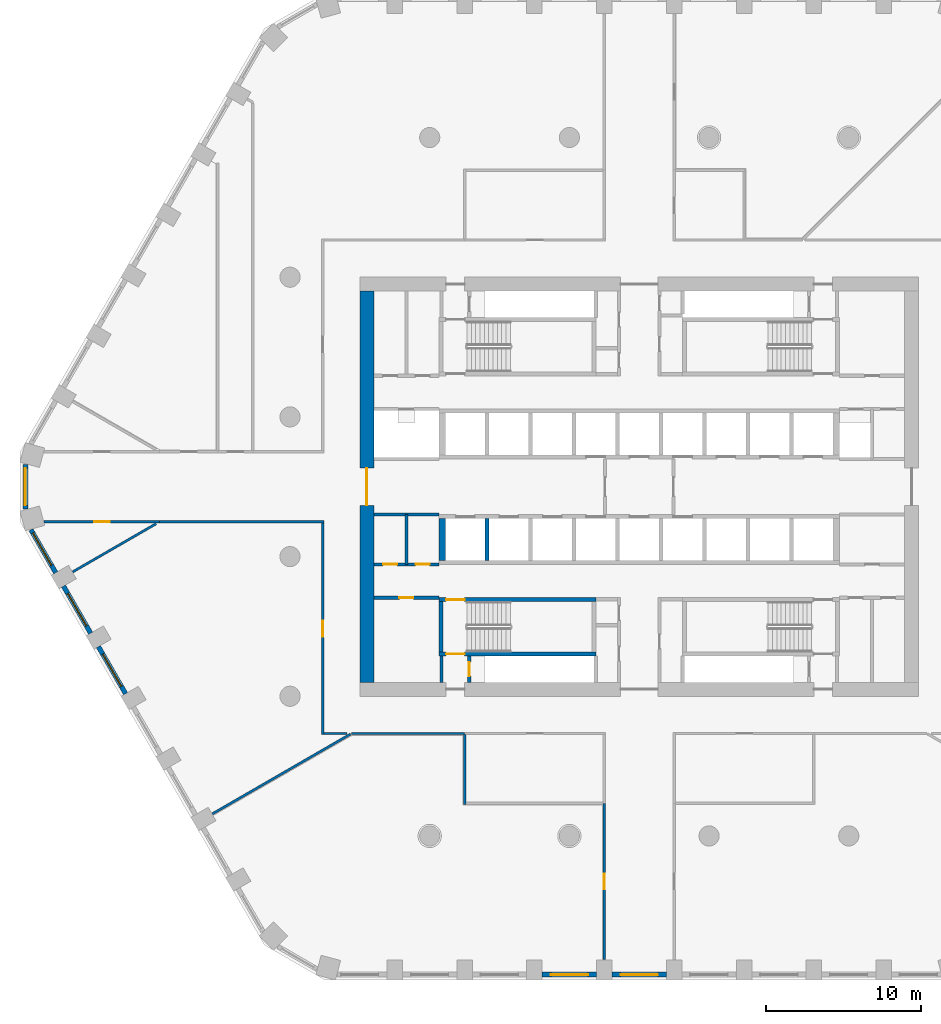
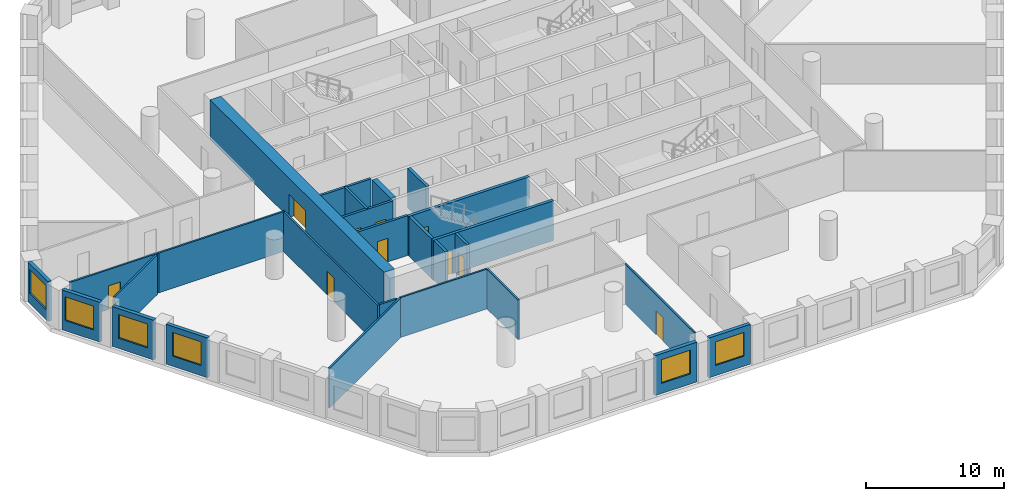
# One storey, part 2 of 14: 27 walls, 10 doors, 6 windows, 16 openings.
"""IFC4 building model written with IfcOpenShell, lengths in metres."""

from ifc_helpers import new_model, si_unit, direction, frame, frame_2d, origin, place, context, subcontext, project, spatial, polyline, rectangle, outline, extrude, material, layer, layer_set, type_object, element, fill, save


model = new_model("IFC4")

# Units and contexts
model_context = context("Model", 3, precision=1e-05, world=origin(), true_north=direction((0.0, 1.0)))
body_context = subcontext(model_context, "Body", "Model", "MODEL_VIEW")
ifc_project = project(units=[si_unit("LENGTHUNIT", "METRE"), si_unit("AREAUNIT", "SQUARE_METRE"), si_unit("VOLUMEUNIT", "CUBIC_METRE"), si_unit("PLANEANGLEUNIT", "RADIAN"), si_unit("MASSUNIT", "GRAM", prefix="KILO")], contexts=[model_context])

# Site, building, storey
site_placement = place(None, origin())
site = spatial("IfcSite", under=ifc_project, at=site_placement, CompositionType="ELEMENT")
building_placement = place(site_placement, origin())
building = spatial("IfcBuilding", under=site, at=building_placement, Name="Dhurran Vertical Campus", CompositionType="ELEMENT")
storey_placement = place(building_placement, frame((0.0, 0.0, 96.89990234375)))
storey = spatial("IfcBuildingStorey", under=building, at=storey_placement, Name="L23", CompositionType="ELEMENT", Elevation=96.89990234375)

# Wall, opening, window
ifc_material_1 = material(Name="Precast concrete C50/60", Category="concrete")
ifc_layer_1 = layer(ifc_material_1, 0.300048828125)
ifc_layer_set_1 = layer_set([ifc_layer_1], Name="Precast concrete C50/60")
wall_type_1 = type_object("IfcWallType", Name="Precast spandrel wall 300", PredefinedType="SOLIDWALL", material=ifc_layer_set_1)
wall_1_placement = place(storey_placement, frame((-6.24951171875, -31.4296875, 0.0), z_axis=(0.0, 0.0, 1.0), x_axis=(1.0, 0.0, 0.0)))
wall_1 = element("IfcWall", 1, at=wall_1_placement, inside=storey, type_object=wall_type_1, Name="EW1 L23.03", PredefinedType="SOLIDWALL", context=body_context, shape_type="SweptSolid", body=[
    extrude(rectangle(XDim=3.4990234375, YDim=0.300048828125, at=frame_2d((1.74951171875, 0.0))), origin(), (0.0, 0.0, 1.0), 3.525146484375),
])
opening_1_placement = place(wall_1_placement, frame((0.549560546875, 0.0, 0.89990234375)))
opening_1 = element("IfcOpeningElement", 2, at=opening_1_placement, cuts=wall_1, Name="Opening WT1", PredefinedType="OPENING", context=body_context, shape_type="SweptSolid", body=[
    extrude(rectangle(XDim=2.39990234375, YDim=2.10009765625, at=frame_2d((1.199951171875, 1.050048828125))), frame((0.0, 0.159912109375, 0.0), z_axis=(0.0, -1.0, 0.0), x_axis=(1.0, 0.0, 0.0)), (0.0, 0.0, 1.0), 0.320068359375),
])
ifc_material_2 = material(Name="Aluminium frame with solar-control glass", Category="aluminium")
window_type = type_object("IfcWindowType", Name="Punched window 2400 x 2100", PartitioningType="SINGLE_PANEL", PredefinedType="WINDOW", material=ifc_material_2)
window_1_placement = place(opening_1_placement, origin())
window_1 = element("IfcWindow", 3, at=window_1_placement, inside=storey, type_object=window_type, Name="WT1 L23.03", OverallHeight=2.10009765625, OverallWidth=2.39990234375, PartitioningType="SINGLE_PANEL", PredefinedType="WINDOW", context=body_context, shape_type="SweptSolid", body=[
    extrude(rectangle(XDim=2.39990234375, YDim=2.10009765625, at=frame_2d((1.199951171875, 1.050048828125))), frame((0.0, 0.030029296875, 0.0), z_axis=(0.0, -1.0, 0.0), x_axis=(1.0, 0.0, 0.0)), (0.0, 0.0, 1.0), 0.06005859375),
])
fill(opening_1, window_1)

wall_2_placement = place(storey_placement, frame((-1.74951171875, -31.4296875, 0.0), z_axis=(0.0, 0.0, 1.0), x_axis=(1.0, 0.0, 0.0)))
wall_2 = element("IfcWall", 4, at=wall_2_placement, inside=storey, type_object=wall_type_1, Name="EW1 L23.04", PredefinedType="SOLIDWALL", context=body_context, shape_type="SweptSolid", body=[
    extrude(rectangle(XDim=3.4990234375, YDim=0.300048828125, at=frame_2d((1.74951171875, 0.0))), origin(), (0.0, 0.0, 1.0), 3.525146484375),
])
opening_2_placement = place(wall_2_placement, frame((0.549560546875, 0.0, 0.89990234375)))
opening_2 = element("IfcOpeningElement", 5, at=opening_2_placement, cuts=wall_2, Name="Opening WT1", PredefinedType="OPENING", context=body_context, shape_type="SweptSolid", body=[
    extrude(rectangle(XDim=2.39990234375, YDim=2.10009765625, at=frame_2d((1.199951171875, 1.050048828125))), frame((0.0, 0.159912109375, 0.0), z_axis=(0.0, -1.0, 0.0), x_axis=(1.0, 0.0, 0.0)), (0.0, 0.0, 1.0), 0.320068359375),
])
window_2_placement = place(opening_2_placement, origin())
window_2 = element("IfcWindow", 6, at=window_2_placement, inside=storey, type_object=window_type, Name="WT1 L23.04", OverallHeight=2.10009765625, OverallWidth=2.39990234375, PartitioningType="SINGLE_PANEL", PredefinedType="WINDOW", context=body_context, shape_type="SweptSolid", body=[
    extrude(rectangle(XDim=2.39990234375, YDim=2.10009765625, at=frame_2d((1.199951171875, 1.050048828125))), frame((0.0, 0.030029296875, 0.0), z_axis=(0.0, -1.0, 0.0), x_axis=(1.0, 0.0, 0.0)), (0.0, 0.0, 1.0), 0.06005859375),
])
fill(opening_2, window_2)

wall_3_placement = place(storey_placement, frame((-39.547119140625, 1.44287109375, 0.0), z_axis=(0.0, 0.0, 1.0), x_axis=(0.0, -1.0, 0.0)))
wall_3 = element("IfcWall", 7, at=wall_3_placement, inside=storey, type_object=wall_type_1, Name="EW1 L23.43", PredefinedType="SOLIDWALL", context=body_context, shape_type="SweptSolid", body=[
    extrude(rectangle(XDim=2.8857421875, YDim=0.300048828125, at=frame_2d((1.44287109375, 0.0))), origin(), (0.0, 0.0, 1.0), 3.525146484375),
])
opening_3_placement = place(wall_3_placement, frame((0.242919921875, 0.0, 0.89990234375)))
opening_3 = element("IfcOpeningElement", 8, at=opening_3_placement, cuts=wall_3, Name="Opening WT1", PredefinedType="OPENING", context=body_context, shape_type="SweptSolid", body=[
    extrude(rectangle(XDim=2.39990234375, YDim=2.10009765625, at=frame_2d((1.199951171875, 1.050048828125))), frame((0.0, 0.159912109375, 0.0), z_axis=(0.0, -1.0, 0.0), x_axis=(1.0, 0.0, 0.0)), (0.0, 0.0, 1.0), 0.320068359375),
])
window_3_placement = place(opening_3_placement, origin())
window_3 = element("IfcWindow", 9, at=window_3_placement, inside=storey, type_object=window_type, Name="WT1 L23.43", OverallHeight=2.10009765625, OverallWidth=2.39990234375, PartitioningType="SINGLE_PANEL", PredefinedType="WINDOW", context=body_context, shape_type="SweptSolid", body=[
    extrude(rectangle(XDim=2.39990234375, YDim=2.10009765625, at=frame_2d((1.199951171875, 1.050048828125))), frame((0.0, 0.030029296875, 0.0), z_axis=(0.0, -1.0, 0.0), x_axis=(1.0, 0.0, 0.0)), (0.0, 0.0, 1.0), 0.06005859375),
])
fill(opening_3, window_3)

wall_4_placement = place(storey_placement, frame((-39.1904296875, -2.774169921875, 0.0), z_axis=(0.0, 0.0, 1.0), x_axis=(0.500004907028, -0.866022570692, 0.0)))
wall_4 = element("IfcWall", 10, at=wall_4_placement, inside=storey, type_object=wall_type_1, Name="EW1 L23.44", PredefinedType="SOLIDWALL", context=body_context, shape_type="SweptSolid", body=[
    extrude(rectangle(XDim=3.1923828125, YDim=0.300048828125, at=frame_2d((1.59619140625, 0.0))), origin(), (0.0, 0.0, 1.0), 3.525146484375),
])
opening_4_placement = place(wall_4_placement, frame((0.242919921875, 0.0, 0.89990234375)))
opening_4 = element("IfcOpeningElement", 11, at=opening_4_placement, cuts=wall_4, Name="Opening WT1", PredefinedType="OPENING", context=body_context, shape_type="SweptSolid", body=[
    extrude(rectangle(XDim=2.39990234375, YDim=2.10009765625, at=frame_2d((1.199951171875, 1.050048828125))), frame((0.0, 0.159912109375, 0.0), z_axis=(0.0, -1.0, 0.0), x_axis=(1.0, 0.0, 0.0)), (0.0, 0.0, 1.0), 0.320068359375),
])
window_4_placement = place(opening_4_placement, origin())
window_4 = element("IfcWindow", 12, at=window_4_placement, inside=storey, type_object=window_type, Name="WT1 L23.44", OverallHeight=2.10009765625, OverallWidth=2.39990234375, PartitioningType="SINGLE_PANEL", PredefinedType="WINDOW", context=body_context, shape_type="SweptSolid", body=[
    extrude(rectangle(XDim=2.39990234375, YDim=2.10009765625, at=frame_2d((1.199951171875, 1.050048828125))), frame((0.0, 0.030029296875, 0.0), z_axis=(0.0, -1.0, 0.0), x_axis=(1.0, 0.0, 0.0)), (0.0, 0.0, 1.0), 0.06005859375),
])
fill(opening_4, window_4)

wall_5_placement = place(storey_placement, frame((-37.09375, -6.405517578125, 0.0), z_axis=(0.0, 0.0, 1.0), x_axis=(0.499996256241, -0.866027565234, 0.0)))
wall_5 = element("IfcWall", 13, at=wall_5_placement, inside=storey, type_object=wall_type_1, Name="EW1 L23.45", PredefinedType="SOLIDWALL", context=body_context, shape_type="SweptSolid", body=[
    extrude(rectangle(XDim=3.4990234375, YDim=0.300048828125, at=frame_2d((1.74951171875, 0.0))), origin(), (0.0, 0.0, 1.0), 3.525146484375),
])
opening_5_placement = place(wall_5_placement, frame((0.549560546875, 0.0, 0.89990234375)))
opening_5 = element("IfcOpeningElement", 14, at=opening_5_placement, cuts=wall_5, Name="Opening WT1", PredefinedType="OPENING", context=body_context, shape_type="SweptSolid", body=[
    extrude(rectangle(XDim=2.39990234375, YDim=2.10009765625, at=frame_2d((1.199951171875, 1.050048828125))), frame((0.0, 0.159912109375, 0.0), z_axis=(0.0, -1.0, 0.0), x_axis=(1.0, 0.0, 0.0)), (0.0, 0.0, 1.0), 0.320068359375),
])
window_5_placement = place(opening_5_placement, origin())
window_5 = element("IfcWindow", 15, at=window_5_placement, inside=storey, type_object=window_type, Name="WT1 L23.45", OverallHeight=2.10009765625, OverallWidth=2.39990234375, PartitioningType="SINGLE_PANEL", PredefinedType="WINDOW", context=body_context, shape_type="SweptSolid", body=[
    extrude(rectangle(XDim=2.39990234375, YDim=2.10009765625, at=frame_2d((1.199951171875, 1.050048828125))), frame((0.0, 0.030029296875, 0.0), z_axis=(0.0, -1.0, 0.0), x_axis=(1.0, 0.0, 0.0)), (0.0, 0.0, 1.0), 0.06005859375),
])
fill(opening_5, window_5)

wall_6_placement = place(storey_placement, frame((-34.84375, -10.302734375, 0.0), z_axis=(0.0, 0.0, 1.0), x_axis=(0.499996256241, -0.866027565234, 0.0)))
wall_6 = element("IfcWall", 16, at=wall_6_placement, inside=storey, type_object=wall_type_1, Name="EW1 L23.46", PredefinedType="SOLIDWALL", context=body_context, shape_type="SweptSolid", body=[
    extrude(rectangle(XDim=3.4990234375, YDim=0.300048828125, at=frame_2d((1.74951171875, 0.0))), origin(), (0.0, 0.0, 1.0), 3.525146484375),
])
opening_6_placement = place(wall_6_placement, frame((0.549560546875, 0.0, 0.89990234375)))
opening_6 = element("IfcOpeningElement", 17, at=opening_6_placement, cuts=wall_6, Name="Opening WT1", PredefinedType="OPENING", context=body_context, shape_type="SweptSolid", body=[
    extrude(rectangle(XDim=2.39990234375, YDim=2.10009765625, at=frame_2d((1.199951171875, 1.050048828125))), frame((0.0, 0.159912109375, 0.0), z_axis=(0.0, -1.0, 0.0), x_axis=(1.0, 0.0, 0.0)), (0.0, 0.0, 1.0), 0.320068359375),
])
window_6_placement = place(opening_6_placement, origin())
window_6 = element("IfcWindow", 18, at=window_6_placement, inside=storey, type_object=window_type, Name="WT1 L23.46", OverallHeight=2.10009765625, OverallWidth=2.39990234375, PartitioningType="SINGLE_PANEL", PredefinedType="WINDOW", context=body_context, shape_type="SweptSolid", body=[
    extrude(rectangle(XDim=2.39990234375, YDim=2.10009765625, at=frame_2d((1.199951171875, 1.050048828125))), frame((0.0, 0.030029296875, 0.0), z_axis=(0.0, -1.0, 0.0), x_axis=(1.0, 0.0, 0.0)), (0.0, 0.0, 1.0), 0.06005859375),
])
fill(opening_6, window_6)

# Wall, opening, door
ifc_material_3 = material(Name="Concrete C60/75", Category="concrete")
ifc_layer_2 = layer(ifc_material_3, 0.89990234375)
ifc_layer_set_2 = layer_set([ifc_layer_2], Name="Concrete C60/75")
wall_type_2 = type_object("IfcWallType", Name="co-CORE-WALL-C0-900", PredefinedType="SHEAR", material=ifc_layer_set_2)
wall_7_placement = place(storey_placement, frame((-17.550048828125, -12.60009765625, 0.0), z_axis=(0.0, 0.0, 1.0), x_axis=(0.0, 1.0, 0.0)))
wall_7 = element("IfcWall", 19, at=wall_7_placement, inside=storey, type_object=wall_type_2, Name="Core wall W L23", PredefinedType="SHEAR", context=body_context, shape_type="SweptSolid", body=[
    extrude(rectangle(XDim=25.2001953125, YDim=0.89990234375, at=frame_2d((12.60009765625, 0.0))), origin(), (0.0, 0.0, 1.0), 3.525146484375),
])
opening_7_placement = place(wall_7_placement, frame((11.39990234375, 0.0, 0.0)))
opening_7 = element("IfcOpeningElement", 20, at=opening_7_placement, cuts=wall_7, Name="Opening CL1", PredefinedType="OPENING", context=body_context, shape_type="SweptSolid", body=[
    extrude(rectangle(XDim=2.39990234375, YDim=2.10009765625, at=frame_2d((1.199951171875, 1.050048828125))), frame((0.0, 0.4599609375, 0.0), z_axis=(0.0, -1.0, 0.0), x_axis=(1.0, 0.0, 0.0)), (0.0, 0.0, 1.0), 0.919921875),
])
ifc_material_4 = material(Name="Fire-rated glazed door set")
door_type_1 = type_object("IfcDoorType", Name="co-D-LOBBY 2400x2100", OperationType="DOUBLE_DOOR_DOUBLE_SWING", PredefinedType="DOOR", material=ifc_material_4)
door_1_placement = place(opening_7_placement, origin())
door_1 = element("IfcDoor", 21, at=door_1_placement, inside=storey, type_object=door_type_1, Name="Lift lobby door W L23", OperationType="DOUBLE_DOOR_DOUBLE_SWING", OverallHeight=2.10009765625, OverallWidth=2.39990234375, PredefinedType="DOOR", context=body_context, shape_type="SweptSolid", body=[
    extrude(rectangle(XDim=2.39990234375, YDim=2.10009765625, at=frame_2d((1.199951171875, 1.050048828125))), frame((0.0, 0.02490234375, 0.0), z_axis=(0.0, -1.0, 0.0), x_axis=(1.0, 0.0, 0.0)), (0.0, 0.0, 1.0), 0.050048828125),
])
fill(opening_7, door_1)

# Wall
ifc_material_5 = material(Name="Fire-rated masonry blockwork", Category="masonry")
ifc_layer_3 = layer(ifc_material_5, 0.199951171875)
ifc_layer_set_3 = layer_set([ifc_layer_3], Name="Fire-rated masonry blockwork")
wall_type_3 = type_object("IfcWallType", Name="co-FIRE-PARTITION-200", PredefinedType="PARTITIONING", material=ifc_layer_set_3)
wall_8_placement = place(storey_placement, frame((-12.75, -12.60009765625, 0.0), z_axis=(0.0, 0.0, 1.0), x_axis=(0.0, 1.0, 0.0)))
element("IfcWall", 22, at=wall_8_placement, inside=storey, type_object=wall_type_3, Name="Core partition pass-ST3-o L23", PredefinedType="PARTITIONING", context=body_context, shape_type="SweptSolid", body=[
    extrude(rectangle(XDim=1.7001953125, YDim=0.199951171875, at=frame_2d((0.85009765625, 0.0))), origin(), (0.0, 0.0, 1.0), 3.525146484375),
])

# Wall, opening, door
wall_9_placement = place(storey_placement, frame((-10.949951171875, -12.60009765625, 0.0), z_axis=(0.0, 0.0, 1.0), x_axis=(0.0, 1.0, 0.0)))
wall_9 = element("IfcWall", 23, at=wall_9_placement, inside=storey, type_object=wall_type_3, Name="Core partition pass-ST3-i L23", PredefinedType="PARTITIONING", context=body_context, shape_type="SweptSolid", body=[
    extrude(rectangle(XDim=1.7001953125, YDim=0.199951171875, at=frame_2d((0.85009765625, 0.0))), origin(), (0.0, 0.0, 1.0), 3.525146484375),
])
opening_8_placement = place(wall_9_placement, frame((0.39990234375, 0.0, 0.0)))
opening_8 = element("IfcOpeningElement", 24, at=opening_8_placement, cuts=wall_9, Name="Opening T06-C10", PredefinedType="OPENING", context=body_context, shape_type="SweptSolid", body=[
    extrude(rectangle(XDim=0.89990234375, YDim=2.10009765625, at=frame_2d((0.449951171875, 1.050048828125))), frame((0.0, 0.10986328125, 0.0), z_axis=(0.0, -1.0, 0.0), x_axis=(1.0, 0.0, 0.0)), (0.0, 0.0, 1.0), 0.219970703125),
])
ifc_material_6 = material(Name="Fire-rated timber door set", Category="wood")
door_type_2 = type_object("IfcDoorType", Name="co-D-ROOM 900x2100", OperationType="SINGLE_SWING_LEFT", PredefinedType="DOOR", material=ifc_material_6)
door_2_placement = place(opening_8_placement, origin())
door_2 = element("IfcDoor", 25, at=door_2_placement, inside=storey, type_object=door_type_2, Name="Riser room door L23", OperationType="SINGLE_SWING_LEFT", OverallHeight=2.10009765625, OverallWidth=0.89990234375, PredefinedType="DOOR", context=body_context, shape_type="SweptSolid", body=[
    extrude(rectangle(XDim=0.89990234375, YDim=2.10009765625, at=frame_2d((0.449951171875, 1.050048828125))), frame((0.0, 0.02490234375, 0.0), z_axis=(0.0, -1.0, 0.0), x_axis=(1.0, 0.0, 0.0)), (0.0, 0.0, 1.0), 0.050048828125),
])
fill(opening_8, door_2)

wall_10_placement = place(storey_placement, frame((-17.10009765625, -7.14990234375, 0.0), z_axis=(0.0, 0.0, 1.0), x_axis=(1.0, 0.0, 0.0)))
wall_10 = element("IfcWall", 26, at=wall_10_placement, inside=storey, type_object=wall_type_3, Name="Core partition en-SW-w L23", PredefinedType="PARTITIONING", context=body_context, shape_type="SweptSolid", body=[
    extrude(rectangle(XDim=4.2001953125, YDim=0.199951171875, at=frame_2d((2.10009765625, 0.0))), origin(), (0.0, 0.0, 1.0), 3.525146484375),
])
opening_9_placement = place(wall_10_placement, frame((1.64990234375, 0.0, 0.0)))
opening_9 = element("IfcOpeningElement", 27, at=opening_9_placement, cuts=wall_10, Name="Opening T06-C18", PredefinedType="OPENING", context=body_context, shape_type="SweptSolid", body=[
    extrude(rectangle(XDim=0.89990234375, YDim=2.10009765625, at=frame_2d((0.449951171875, 1.050048828125))), frame((0.0, 0.10986328125, 0.0), z_axis=(0.0, -1.0, 0.0), x_axis=(1.0, 0.0, 0.0)), (0.0, 0.0, 1.0), 0.219970703125),
])
door_3_placement = place(opening_9_placement, origin())
door_3 = element("IfcDoor", 28, at=door_3_placement, inside=storey, type_object=door_type_2, Name="Server room door L23", OperationType="SINGLE_SWING_LEFT", OverallHeight=2.10009765625, OverallWidth=0.89990234375, PredefinedType="DOOR", context=body_context, shape_type="SweptSolid", body=[
    extrude(rectangle(XDim=0.89990234375, YDim=2.10009765625, at=frame_2d((0.449951171875, 1.050048828125))), frame((0.0, 0.02490234375, 0.0), z_axis=(0.0, -1.0, 0.0), x_axis=(1.0, 0.0, 0.0)), (0.0, 0.0, 1.0), 0.050048828125),
])
fill(opening_9, door_3)

# Wall
wall_11_placement = place(storey_placement, frame((-15.0, -5.0, 0.0), z_axis=(0.0, 0.0, 1.0), x_axis=(0.0, 1.0, 0.0)))
element("IfcWall", 29, at=wall_11_placement, inside=storey, type_object=wall_type_3, Name="Core partition es-SW-cut0 L23", PredefinedType="PARTITIONING", context=body_context, shape_type="SweptSolid", body=[
    extrude(rectangle(XDim=3.199951171875, YDim=0.199951171875, at=frame_2d((1.60009765625, 0.0))), origin(), (0.0, 0.0, 1.0), 3.525146484375),
])

# Wall, openings, doors
wall_12_placement = place(storey_placement, frame((-17.10009765625, -5.0, 0.0), z_axis=(0.0, 0.0, 1.0), x_axis=(1.0, 0.0, 0.0)))
wall_12 = element("IfcWall", 30, at=wall_12_placement, inside=storey, type_object=wall_type_3, Name="Core partition es-SW-w L23", PredefinedType="PARTITIONING", context=body_context, shape_type="SweptSolid", body=[
    extrude(rectangle(XDim=4.2001953125, YDim=0.199951171875, at=frame_2d((2.10009765625, 0.0))), origin(), (0.0, 0.0, 1.0), 3.525146484375),
])
opening_10_placement = place(wall_12_placement, frame((0.60009765625, 0.0, 0.0)))
opening_10 = element("IfcOpeningElement", 31, at=opening_10_placement, cuts=wall_12, Name="Opening T06-C19", PredefinedType="OPENING", context=body_context, shape_type="SweptSolid", body=[
    extrude(rectangle(XDim=0.89990234375, YDim=2.10009765625, at=frame_2d((0.449951171875, 1.050048828125))), frame((0.0, 0.10986328125, 0.0), z_axis=(0.0, -1.0, 0.0), x_axis=(1.0, 0.0, 0.0)), (0.0, 0.0, 1.0), 0.219970703125),
])
opening_11_placement = place(wall_12_placement, frame((2.699951171875, 0.0, 0.0)))
opening_11 = element("IfcOpeningElement", 32, at=opening_11_placement, cuts=wall_12, Name="Opening T06-C20", PredefinedType="OPENING", context=body_context, shape_type="SweptSolid", body=[
    extrude(rectangle(XDim=0.89990234375, YDim=2.10009765625, at=frame_2d((0.449951171875, 1.050048828125))), frame((0.0, 0.10986328125, 0.0), z_axis=(0.0, -1.0, 0.0), x_axis=(1.0, 0.0, 0.0)), (0.0, 0.0, 1.0), 0.219970703125),
])
door_4_placement = place(opening_10_placement, origin())
door_4 = element("IfcDoor", 33, at=door_4_placement, inside=storey, type_object=door_type_2, Name="Pantry door L23", OperationType="SINGLE_SWING_LEFT", OverallHeight=2.10009765625, OverallWidth=0.89990234375, PredefinedType="DOOR", context=body_context, shape_type="SweptSolid", body=[
    extrude(rectangle(XDim=0.89990234375, YDim=2.10009765625, at=frame_2d((0.449951171875, 1.050048828125))), frame((0.0, 0.02490234375, 0.0), z_axis=(0.0, -1.0, 0.0), x_axis=(1.0, 0.0, 0.0)), (0.0, 0.0, 1.0), 0.050048828125),
])
fill(opening_10, door_4)
door_5_placement = place(opening_11_placement, origin())
door_5 = element("IfcDoor", 34, at=door_5_placement, inside=storey, type_object=door_type_2, Name="Housekeeping store door L23", OperationType="SINGLE_SWING_LEFT", OverallHeight=2.10009765625, OverallWidth=0.89990234375, PredefinedType="DOOR", context=body_context, shape_type="SweptSolid", body=[
    extrude(rectangle(XDim=0.89990234375, YDim=2.10009765625, at=frame_2d((0.449951171875, 1.050048828125))), frame((0.0, 0.02490234375, 0.0), z_axis=(0.0, -1.0, 0.0), x_axis=(1.0, 0.0, 0.0)), (0.0, 0.0, 1.0), 0.050048828125),
])
fill(opening_11, door_5)

# Walls
wall_13_placement = place(storey_placement, frame((-17.10009765625, -1.800048828125, 0.0), z_axis=(0.0, 0.0, 1.0), x_axis=(1.0, 0.0, 0.0)))
element("IfcWall", 35, at=wall_13_placement, inside=storey, type_object=wall_type_3, Name="Core partition es-SW-l L23", PredefinedType="PARTITIONING", context=body_context, shape_type="SweptSolid", body=[
    extrude(rectangle(XDim=4.2001953125, YDim=0.199951171875, at=frame_2d((2.10009765625, 0.0))), origin(), (0.0, 0.0, 1.0), 3.525146484375),
])
ifc_material_7 = material(Name="Concrete C50/60", Category="concrete")
ifc_layer_4 = layer(ifc_material_7, 0.25)
ifc_layer_set_4 = layer_set([ifc_layer_4], Name="Concrete C50/60")
wall_type_4 = type_object("IfcWallType", Name="co-SHAFT-MASS-250", PredefinedType="SHEAR", material=ifc_layer_set_4)
wall_14_placement = place(storey_placement, origin())
element("IfcWall", 36, at=wall_14_placement, inside=storey, type_object=wall_type_4, Name="Lift shaft wall S L23 2", PredefinedType="SHEAR", context=body_context, shape_type="SweptSolid", body=[
    extrude(outline(polyline([(-12.89990234375, -4.75), (-12.47509765625, -4.75), (-12.47509765625, -2.050048828125), (-12.89990234375, -2.050048828125), (-12.89990234375, -4.75)])), origin(), (0.0, 0.0, 1.0), 3.525146484375),
])
wall_15_placement = place(storey_placement, origin())
element("IfcWall", 37, at=wall_15_placement, inside=storey, type_object=wall_type_4, Name="Lift shaft wall S L23 3", PredefinedType="SHEAR", context=body_context, shape_type="SweptSolid", body=[
    extrude(outline(polyline([(-9.925048828125, -4.75), (-9.675048828125, -4.75), (-9.675048828125, -2.050048828125), (-9.925048828125, -2.050048828125), (-9.925048828125, -4.75)])), origin(), (0.0, 0.0, 1.0), 3.525146484375),
])

# Wall, opening, door
ifc_material_8 = material(Name="Concrete C40/50", Category="concrete")
ifc_layer_5 = layer(ifc_material_8, 0.25)
ifc_layer_set_5 = layer_set([ifc_layer_5], Name="Concrete C40/50")
wall_type_5 = type_object("IfcWallType", Name="co-STAIR-WALL-250", PredefinedType="SHEAR", material=ifc_layer_set_5)
wall_16_placement = place(storey_placement, frame((-12.89990234375, -10.77490234375, 0.0), z_axis=(0.0, 0.0, 1.0), x_axis=(1.0, 0.0, 0.0)))
wall_16 = element("IfcWall", 38, at=wall_16_placement, inside=storey, type_object=wall_type_5, Name="Stair ST3 enclosure wall L23", PredefinedType="SHEAR", context=body_context, shape_type="SweptSolid", body=[
    extrude(rectangle(XDim=10.099853515625, YDim=0.25, at=frame_2d((5.0498046875, 0.0))), origin(), (0.0, 0.0, 1.0), 3.525146484375),
])
opening_12_placement = place(wall_16_placement, frame((0.449951171875, 0.0, 0.0)))
opening_12 = element("IfcOpeningElement", 39, at=opening_12_placement, cuts=wall_16, Name="Opening XS3", PredefinedType="OPENING", context=body_context, shape_type="SweptSolid", body=[
    extrude(rectangle(XDim=1.199951171875, YDim=2.10009765625, at=frame_2d((0.60009765625, 1.050048828125))), frame((0.0, 0.135009765625, 0.0), z_axis=(0.0, -1.0, 0.0), x_axis=(1.0, 0.0, 0.0)), (0.0, 0.0, 1.0), 0.27001953125),
])
ifc_material_9 = material(Name="Fire-rated steel door set", Category="steel")
door_type_3 = type_object("IfcDoorType", Name="co-D-STAIR-EXIT 1200x2100", OperationType="SINGLE_SWING_RIGHT", PredefinedType="DOOR", material=ifc_material_9)
door_6_placement = place(opening_12_placement, origin())
door_6 = element("IfcDoor", 40, at=door_6_placement, inside=storey, type_object=door_type_3, Name="Stair ST3 discharge door L23", OperationType="SINGLE_SWING_RIGHT", OverallHeight=2.10009765625, OverallWidth=1.199951171875, PredefinedType="DOOR", context=body_context, shape_type="SweptSolid", body=[
    extrude(rectangle(XDim=1.199951171875, YDim=2.10009765625, at=frame_2d((0.60009765625, 1.050048828125))), frame((0.0, 0.02490234375, 0.0), z_axis=(0.0, -1.0, 0.0), x_axis=(1.0, 0.0, 0.0)), (0.0, 0.0, 1.0), 0.050048828125),
])
fill(opening_12, door_6)

wall_17_placement = place(storey_placement, frame((-12.89990234375, -7.27490234375, 0.0), z_axis=(0.0, 0.0, 1.0), x_axis=(1.0, 0.0, 0.0)))
wall_17 = element("IfcWall", 41, at=wall_17_placement, inside=storey, type_object=wall_type_5, Name="Stair ST3 enclosure wall L23", PredefinedType="SHEAR", context=body_context, shape_type="SweptSolid", body=[
    extrude(rectangle(XDim=10.099853515625, YDim=0.25, at=frame_2d((5.0498046875, 0.0))), origin(), (0.0, 0.0, 1.0), 3.525146484375),
])
opening_13_placement = place(wall_17_placement, frame((0.449951171875, 0.0, 0.0)))
opening_13 = element("IfcOpeningElement", 42, at=opening_13_placement, cuts=wall_17, Name="Opening SD3", PredefinedType="OPENING", context=body_context, shape_type="SweptSolid", body=[
    extrude(rectangle(XDim=1.199951171875, YDim=2.10009765625, at=frame_2d((0.60009765625, 1.050048828125))), frame((0.0, 0.135009765625, 0.0), z_axis=(0.0, -1.0, 0.0), x_axis=(1.0, 0.0, 0.0)), (0.0, 0.0, 1.0), 0.27001953125),
])
ifc_material_10 = material(Name="Fire-rated steel door set", Category="steel")
door_type_4 = type_object("IfcDoorType", Name="co-D-STAIR 1200x2100", OperationType="SINGLE_SWING_LEFT", PredefinedType="DOOR", material=ifc_material_10)
door_7_placement = place(opening_13_placement, origin())
door_7 = element("IfcDoor", 43, at=door_7_placement, inside=storey, type_object=door_type_4, Name="Stair ST3 door L23", OperationType="SINGLE_SWING_LEFT", OverallHeight=2.10009765625, OverallWidth=1.199951171875, PredefinedType="DOOR", context=body_context, shape_type="SweptSolid", body=[
    extrude(rectangle(XDim=1.199951171875, YDim=2.10009765625, at=frame_2d((0.60009765625, 1.050048828125))), frame((0.0, 0.02490234375, 0.0), z_axis=(0.0, -1.0, 0.0), x_axis=(1.0, 0.0, 0.0)), (0.0, 0.0, 1.0), 0.050048828125),
])
fill(opening_13, door_7)

# Wall
wall_18_placement = place(storey_placement, frame((-12.77490234375, -10.64990234375, 0.0), z_axis=(0.0, 0.0, 1.0), x_axis=(0.0, 1.0, 0.0)))
element("IfcWall", 44, at=wall_18_placement, inside=storey, type_object=wall_type_5, Name="Stair ST3 enclosure wall L23", PredefinedType="SHEAR", context=body_context, shape_type="SweptSolid", body=[
    extrude(rectangle(XDim=3.25, YDim=0.25, at=frame_2d((1.625, 0.0))), origin(), (0.0, 0.0, 1.0), 3.525146484375),
])

# Wall, opening, door
ifc_material_11 = material(Name="Gypsum board corridor wall on steel studs", Category="steel")
ifc_layer_6 = layer(ifc_material_11, 0.14990234375)
ifc_layer_set_6 = layer_set([ifc_layer_6], Name="Gypsum board corridor wall on steel studs")
wall_type_6 = type_object("IfcWallType", Name="fl-CW-150 corridor wall", PredefinedType="PARTITIONING", material=ifc_layer_set_6)
wall_19_placement = place(storey_placement, frame((-30.89697265625, -2.25, 0.0), z_axis=(0.0, 0.0, 1.0), x_axis=(-1.0, 0.0, 0.0)))
wall_19 = element("IfcWall", 45, at=wall_19_placement, inside=storey, type_object=wall_type_6, Name="Partition 23-01", PredefinedType="PARTITIONING", context=body_context, shape_type="SweptSolid", body=[
    extrude(rectangle(XDim=7.453125, YDim=0.14990234375, at=frame_2d((3.7265625, 0.0))), origin(), (0.0, 0.0, 1.0), 3.525146484375),
])
opening_14_placement = place(wall_19_placement, frame((3.2265625, 0.0, 0.0)))
opening_14 = element("IfcOpeningElement", 46, at=opening_14_placement, cuts=wall_19, Name="Opening T06.01", PredefinedType="OPENING", context=body_context, shape_type="SweptSolid", body=[
    extrude(rectangle(XDim=1.0, YDim=2.10009765625, at=frame_2d((0.5, 1.050048828125))), frame((0.0, 0.0849609375, 0.0), z_axis=(0.0, -1.0, 0.0), x_axis=(1.0, 0.0, 0.0)), (0.0, 0.0, 1.0), 0.169921875),
])
ifc_material_12 = material(Name="Solid-core timber door set, fire-rated", Category="wood")
door_type_5 = type_object("IfcDoorType", Name="fl-D-1000x2100", OperationType="SINGLE_SWING_LEFT", PredefinedType="DOOR", material=ifc_material_12)
door_8_placement = place(opening_14_placement, origin())
door_8 = element("IfcDoor", 47, at=door_8_placement, inside=storey, type_object=door_type_5, Name="Door 23.01", OperationType="SINGLE_SWING_RIGHT", OverallHeight=2.10009765625, OverallWidth=1.0, PredefinedType="DOOR", context=body_context, shape_type="SweptSolid", body=[
    extrude(rectangle(XDim=1.0, YDim=2.10009765625, at=frame_2d((0.5, 1.050048828125))), frame((0.0, 0.02490234375, 0.0), z_axis=(0.0, -1.0, 0.0), x_axis=(1.0, 0.0, 0.0)), (0.0, 0.0, 1.0), 0.050048828125),
])
fill(opening_14, door_8)

# Wall
wall_20_placement = place(storey_placement, frame((-20.324951171875, -2.25, 0.0), z_axis=(0.0, 0.0, 1.0), x_axis=(-1.0, 0.0, 0.0)))
element("IfcWall", 48, at=wall_20_placement, inside=storey, type_object=wall_type_6, Name="Partition 23-05", PredefinedType="PARTITIONING", context=body_context, shape_type="SweptSolid", body=[
    extrude(rectangle(XDim=10.572021484375, YDim=0.14990234375, at=frame_2d((5.2861328125, 0.0))), origin(), (0.0, 0.0, 1.0), 3.525146484375),
])

# Wall, opening, door
wall_21_placement = place(storey_placement, frame((-20.39990234375, -2.324951171875, 0.0), z_axis=(0.0, 0.0, 1.0), x_axis=(0.0, -1.0, 0.0)))
wall_21 = element("IfcWall", 49, at=wall_21_placement, inside=storey, type_object=wall_type_6, Name="Partition 23-13", PredefinedType="PARTITIONING", context=body_context, shape_type="SweptSolid", body=[
    extrude(rectangle(XDim=13.650146484375, YDim=0.14990234375, at=frame_2d((6.8251953125, 0.0))), origin(), (0.0, 0.0, 1.0), 3.525146484375),
])
opening_15_placement = place(wall_21_placement, frame((6.324951171875, 0.0, 0.0)))
opening_15 = element("IfcOpeningElement", 50, at=opening_15_placement, cuts=wall_21, Name="Opening T06.04", PredefinedType="OPENING", context=body_context, shape_type="SweptSolid", body=[
    extrude(rectangle(XDim=1.0, YDim=2.10009765625, at=frame_2d((0.5, 1.050048828125))), frame((0.0, 0.0849609375, 0.0), z_axis=(0.0, -1.0, 0.0), x_axis=(1.0, 0.0, 0.0)), (0.0, 0.0, 1.0), 0.169921875),
])
door_9_placement = place(opening_15_placement, origin())
door_9 = element("IfcDoor", 51, at=door_9_placement, inside=storey, type_object=door_type_5, Name="Door 23.04", OperationType="SINGLE_SWING_RIGHT", OverallHeight=2.10009765625, OverallWidth=1.0, PredefinedType="DOOR", context=body_context, shape_type="SweptSolid", body=[
    extrude(rectangle(XDim=1.0, YDim=2.10009765625, at=frame_2d((0.5, 1.050048828125))), frame((0.0, 0.02490234375, 0.0), z_axis=(0.0, -1.0, 0.0), x_axis=(1.0, 0.0, 0.0)), (0.0, 0.0, 1.0), 0.050048828125),
])
fill(opening_15, door_9)

# Walls
wall_22_placement = place(storey_placement, frame((-20.324951171875, -15.89990234375, 0.0), z_axis=(0.0, 0.0, 1.0), x_axis=(1.0, 0.0, 0.0)))
element("IfcWall", 52, at=wall_22_placement, inside=storey, type_object=wall_type_6, Name="Partition 23-14", PredefinedType="PARTITIONING", context=body_context, shape_type="SweptSolid", body=[
    extrude(rectangle(XDim=1.510009765625, YDim=0.14990234375, at=frame_2d((0.7548828125, 0.0))), origin(), (0.0, 0.0, 1.0), 3.525146484375),
])
wall_23_placement = place(storey_placement, frame((-18.5400390625, -15.89990234375, 0.0), z_axis=(0.0, 0.0, 1.0), x_axis=(1.0, 0.0, 0.0)))
element("IfcWall", 53, at=wall_23_placement, inside=storey, type_object=wall_type_6, Name="Partition 23-17", PredefinedType="PARTITIONING", context=body_context, shape_type="SweptSolid", body=[
    extrude(rectangle(XDim=7.2900390625, YDim=0.14990234375, at=frame_2d((3.64501953125, 0.0))), origin(), (0.0, 0.0, 1.0), 3.525146484375),
])

# Wall, opening, door
wall_24_placement = place(storey_placement, frame((-2.25, -30.459716796875, 0.0), z_axis=(0.0, 0.0, 1.0), x_axis=(0.0, 1.0, 0.0)))
wall_24 = element("IfcWall", 54, at=wall_24_placement, inside=storey, type_object=wall_type_6, Name="Partition 23-24", PredefinedType="PARTITIONING", context=body_context, shape_type="SweptSolid", body=[
    extrude(rectangle(XDim=10.059814453125, YDim=0.14990234375, at=frame_2d((5.02978515625, 0.0))), origin(), (0.0, 0.0, 1.0), 3.525146484375),
])
opening_16_placement = place(wall_24_placement, frame((4.52978515625, 0.0, 0.0)))
opening_16 = element("IfcOpeningElement", 55, at=opening_16_placement, cuts=wall_24, Name="Opening T06.07", PredefinedType="OPENING", context=body_context, shape_type="SweptSolid", body=[
    extrude(rectangle(XDim=1.0, YDim=2.10009765625, at=frame_2d((0.5, 1.050048828125))), frame((0.0, 0.0849609375, 0.0), z_axis=(0.0, -1.0, 0.0), x_axis=(1.0, 0.0, 0.0)), (0.0, 0.0, 1.0), 0.169921875),
])
door_10_placement = place(opening_16_placement, origin())
door_10 = element("IfcDoor", 56, at=door_10_placement, inside=storey, type_object=door_type_5, Name="Door 23.07", OperationType="SINGLE_SWING_LEFT", OverallHeight=2.10009765625, OverallWidth=1.0, PredefinedType="DOOR", context=body_context, shape_type="SweptSolid", body=[
    extrude(rectangle(XDim=1.0, YDim=2.10009765625, at=frame_2d((0.5, 1.050048828125))), frame((0.0, 0.02490234375, 0.0), z_axis=(0.0, -1.0, 0.0), x_axis=(1.0, 0.0, 0.0)), (0.0, 0.0, 1.0), 0.050048828125),
])
fill(opening_16, door_10)

# Walls
ifc_material_13 = material(Name="Gypsum board partition on steel studs", Category="steel")
ifc_layer_7 = layer(ifc_material_13, 0.14990234375)
ifc_layer_set_7 = layer_set([ifc_layer_7], Name="Gypsum board partition on steel studs")
wall_type_7 = type_object("IfcWallType", Name="fl-PW-150 fixed partition", PredefinedType="PARTITIONING", material=ifc_layer_set_7)
wall_25_placement = place(storey_placement, frame((-31.13525390625, -2.387451171875, 0.0), z_axis=(0.0, 0.0, 1.0), x_axis=(-0.866007197923, -0.500031532152, 0.0)))
element("IfcWall", 57, at=wall_25_placement, inside=storey, type_object=wall_type_7, Name="Partition 23-03", PredefinedType="PARTITIONING", context=body_context, shape_type="SweptSolid", body=[
    extrude(rectangle(XDim=6.19921875, YDim=0.14990234375, at=frame_2d((3.099609375, 0.0))), origin(), (0.0, 0.0, 1.0), 3.525146484375),
])
wall_26_placement = place(storey_placement, frame((-18.60498046875, -15.9375, 0.0), z_axis=(0.0, 0.0, 1.0), x_axis=(-0.8659928916, -0.500056308527, 0.0)))
element("IfcWall", 58, at=wall_26_placement, inside=storey, type_object=wall_type_7, Name="Partition 23-07", PredefinedType="PARTITIONING", context=body_context, shape_type="SweptSolid", body=[
    extrude(rectangle(XDim=10.275634765625, YDim=0.14990234375, at=frame_2d((5.1376953125, 0.0))), origin(), (0.0, 0.0, 1.0), 3.525146484375),
])
wall_27_placement = place(storey_placement, frame((-11.25, -15.97509765625, 0.0), z_axis=(0.0, 0.0, 1.0), x_axis=(0.0, -1.0, 0.0)))
element("IfcWall", 59, at=wall_27_placement, inside=storey, type_object=wall_type_7, Name="Partition 23-18", PredefinedType="PARTITIONING", context=body_context, shape_type="SweptSolid", body=[
    extrude(rectangle(XDim=4.5, YDim=0.14990234375, at=frame_2d((2.25, 0.0))), origin(), (0.0, 0.0, 1.0), 3.525146484375),
])

save(model, "model.ifc")
